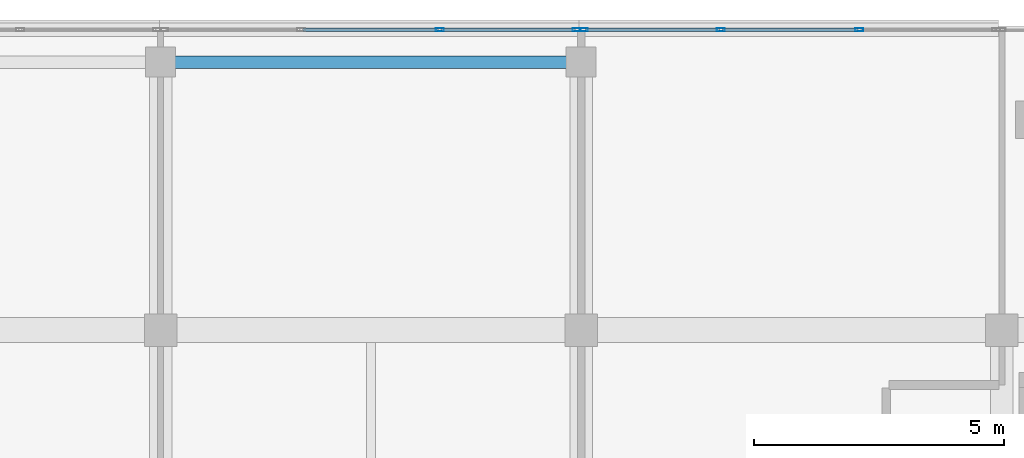
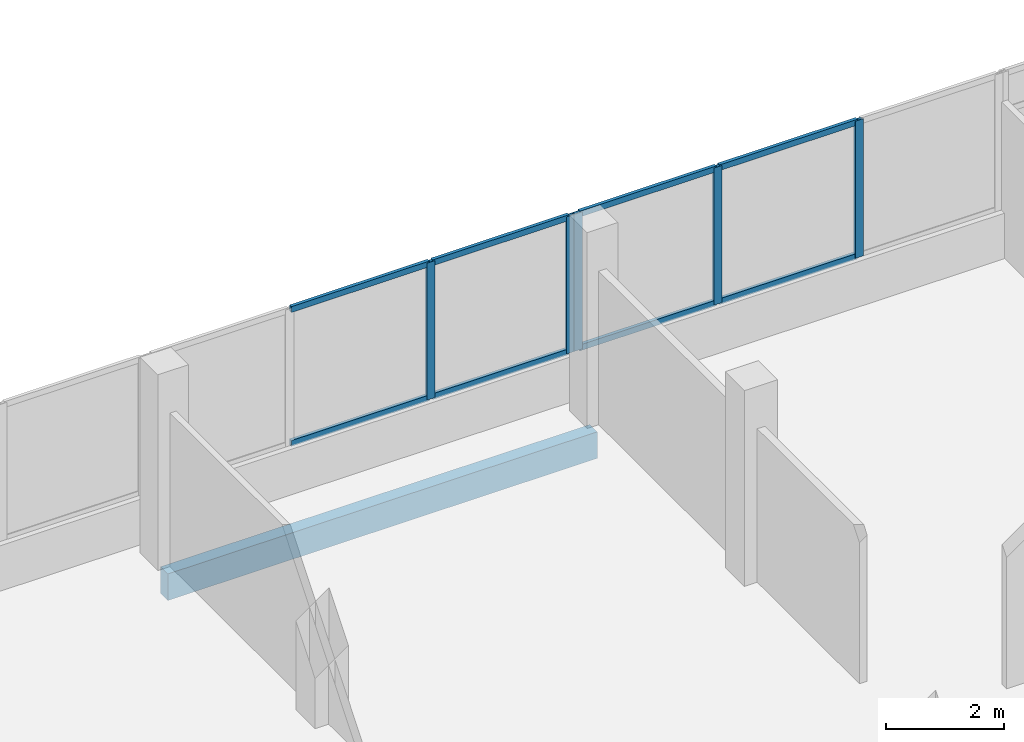
# One storey, part 26 of 78: 13 members, 1 beam, 2 elements without a shape of their own.
"""IFC4 building model written with IfcOpenShell, lengths in metres."""

from ifc_helpers import new_model, si_unit, direction, frame, origin, origin_2d, place, context, subcontext, project, spatial, rectangle, hollow_rectangle, extrude, material, material_profile, profile_set, type_object, element, aggregate, save


model = new_model("IFC4")

# Units and contexts
model_context = context("Model", 3, precision=1e-05, world=origin(), true_north=direction((0.0, 1.0)))
body_context = subcontext(model_context, "Body", "Model", "MODEL_VIEW")
ifc_project = project(units=[si_unit("LENGTHUNIT", "METRE"), si_unit("AREAUNIT", "SQUARE_METRE"), si_unit("VOLUMEUNIT", "CUBIC_METRE"), si_unit("PLANEANGLEUNIT", "RADIAN"), si_unit("MASSUNIT", "GRAM", prefix="KILO")], contexts=[model_context])

# Site, building, storey
site_placement = place(None, origin())
site = spatial("IfcSite", under=ifc_project, at=site_placement, CompositionType="ELEMENT")
building_placement = place(site_placement, origin())
building = spatial("IfcBuilding", under=site, at=building_placement, Name="Selatvlak General Hospital", CompositionType="ELEMENT")
storey_placement = place(building_placement, frame((0.0, 0.0, 23.25)))
storey = spatial("IfcBuildingStorey", under=building, at=storey_placement, Name="L05", CompositionType="ELEMENT", Elevation=23.25)

# Beam
ifc_material_1 = material(Name="Concrete C40/50", Category="concrete")
ifc_material_profile_1 = material_profile(ifc_material_1, rectangle(XDim=0.25, YDim=0.550048828125, at=origin_2d()), Name="RC-SP 250x550")
ifc_profile_set_1 = profile_set([ifc_material_profile_1], Name="Concrete C40/50")
beam_type = type_object("IfcBeamType", Name="BM-SP2", PredefinedType="SPANDREL", material=ifc_profile_set_1)
beam_placement = place(storey_placement, frame((31.199951171875, 119.35009765625, -0.554931640625), z_axis=(1.0, 0.0, 0.0), x_axis=(0.0, 1.0, 0.0)))
element("IfcBeam", 1, at=beam_placement, inside=storey, type_object=beam_type, Name="Beam BMR-L05-1976", PredefinedType="SPANDREL", context=body_context, shape_type="SweptSolid", body=[
    extrude(rectangle(XDim=0.25, YDim=0.550048828125, at=origin_2d()), origin(), (0.0, 0.0, 1.0), 8.400146484375),
])

# Curtain wall, members
ifc_material_2 = material(Name="Solar-control Low-E double glazing", Category="glass")
curtain_wall_type_1 = type_object("IfcCurtainWallType", Name="CW-CW-02", PredefinedType="USERDEFINED", material=ifc_material_2)
curtain_wall_1_placement = place(storey_placement, origin())
curtain_wall_1 = element("IfcCurtainWall", 2, at=curtain_wall_1_placement, inside=storey, type_object=curtain_wall_type_1, Name="Glazed facade curtain wall CW-L05-0548", ObjectType="UNITISED CURTAIN WALL", PredefinedType="USERDEFINED")
ifc_material_3 = material(Name="Dark anodised aluminium mullion", Category="aluminium")
ifc_material_profile_2 = material_profile(ifc_material_3, hollow_rectangle(XDim=0.06494140625, YDim=0.159912109375, WallThickness=0.00390625, at=origin_2d()), Name="AL-MUL 65x160x4")
ifc_profile_set_2 = profile_set([ifc_material_profile_2], Name="Dark anodised aluminium mullion")
member_type_1 = type_object("IfcMemberType", Name="CWM-01", PredefinedType="MULLION", material=ifc_profile_set_2)
member_1_placement = place(storey_placement, frame((36.776611328125, 119.9990234375, 0.93994140625), z_axis=(0.0, 0.0, 1.0), x_axis=(0.0, 1.0, 0.0)))
member_1 = element("IfcMember", 3, at=member_1_placement, type_object=member_type_1, Name="CW-02 mullion 3", PredefinedType="MULLION", context=body_context, shape_type="SweptSolid", body=[
    extrude(hollow_rectangle(XDim=0.06494140625, YDim=0.159912109375, WallThickness=0.00390625, at=origin_2d()), origin(), (0.0, 0.0, 1.0), 2.8349609375),
])
member_2_placement = place(storey_placement, frame((39.510498046875, 119.9990234375, 0.93994140625), z_axis=(0.0, 0.0, 1.0), x_axis=(0.0, 1.0, 0.0)))
member_2 = element("IfcMember", 4, at=member_2_placement, type_object=member_type_1, Name="CW-02 mullion 4", PredefinedType="MULLION", context=body_context, shape_type="SweptSolid", body=[
    extrude(hollow_rectangle(XDim=0.06494140625, YDim=0.159912109375, WallThickness=0.00390625, at=origin_2d()), origin(), (0.0, 0.0, 1.0), 2.8349609375),
])

curtain_wall_type_2 = type_object("IfcCurtainWallType", Name="CW-CW-01", PredefinedType="USERDEFINED", material=ifc_material_2)
curtain_wall_2_placement = place(storey_placement, origin())
curtain_wall_2 = element("IfcCurtainWall", 5, at=curtain_wall_2_placement, inside=storey, type_object=curtain_wall_type_2, Name="Glazed facade curtain wall CW-L05-0549", ObjectType="UNITISED CURTAIN WALL", PredefinedType="USERDEFINED")
member_3_placement = place(storey_placement, frame((39.655517578125, 119.9990234375, 0.93994140625), z_axis=(0.0, 0.0, 1.0), x_axis=(0.0, 1.0, 0.0)))
member_3 = element("IfcMember", 6, at=member_3_placement, type_object=member_type_1, Name="CW-01 mullion 1", PredefinedType="MULLION", context=body_context, shape_type="SweptSolid", body=[
    extrude(hollow_rectangle(XDim=0.06494140625, YDim=0.159912109375, WallThickness=0.00390625, at=origin_2d()), origin(), (0.0, 0.0, 1.0), 2.8349609375),
])
member_4_placement = place(storey_placement, frame((42.389404296875, 119.9990234375, 0.93994140625), z_axis=(0.0, 0.0, 1.0), x_axis=(0.0, 1.0, 0.0)))
member_4 = element("IfcMember", 7, at=member_4_placement, type_object=member_type_1, Name="CW-01 mullion 2", PredefinedType="MULLION", context=body_context, shape_type="SweptSolid", body=[
    extrude(hollow_rectangle(XDim=0.06494140625, YDim=0.159912109375, WallThickness=0.00390625, at=origin_2d()), origin(), (0.0, 0.0, 1.0), 2.8349609375),
])
member_5_placement = place(storey_placement, frame((45.15576171875, 119.9990234375, 0.93994140625), z_axis=(0.0, 0.0, 1.0), x_axis=(0.0, 1.0, 0.0)))
member_5 = element("IfcMember", 8, at=member_5_placement, type_object=member_type_1, Name="CW-01 mullion 3", PredefinedType="MULLION", context=body_context, shape_type="SweptSolid", body=[
    extrude(hollow_rectangle(XDim=0.06494140625, YDim=0.159912109375, WallThickness=0.00390625, at=origin_2d()), origin(), (0.0, 0.0, 1.0), 2.8349609375),
])

# Member
ifc_material_profile_3 = material_profile(ifc_material_3, hollow_rectangle(XDim=0.06494140625, YDim=0.1201171875, WallThickness=0.00390625, at=origin_2d()), Name="AL-TRN 65x120x4")
ifc_profile_set_3 = profile_set([ifc_material_profile_3], Name="Dark anodised aluminium mullion")
member_type_2 = type_object("IfcMemberType", Name="CWT-01", PredefinedType="USERDEFINED", material=ifc_profile_set_3)
member_6_placement = place(storey_placement, frame((34.042724609375, 119.9990234375, 0.972412109375), z_axis=(1.0, 0.0, 0.0), x_axis=(0.0, 1.0, 0.0)))
member_6 = element("IfcMember", 9, at=member_6_placement, type_object=member_type_2, Name="CW-02 transom 2.1", ObjectType="TRANSOM", PredefinedType="USERDEFINED", context=body_context, shape_type="SweptSolid", body=[
    extrude(hollow_rectangle(XDim=0.06494140625, YDim=0.1201171875, WallThickness=0.00390625, at=origin_2d()), origin(), (0.0, 0.0, 1.0), 2.701416015625),
])

member_7_placement = place(storey_placement, frame((34.042724609375, 119.9990234375, 3.742431640625), z_axis=(1.0, 0.0, 0.0), x_axis=(0.0, 1.0, 0.0)))
member_7 = element("IfcMember", 10, at=member_7_placement, type_object=member_type_2, Name="CW-02 transom 2.2", ObjectType="TRANSOM", PredefinedType="USERDEFINED", context=body_context, shape_type="SweptSolid", body=[
    extrude(hollow_rectangle(XDim=0.06494140625, YDim=0.1201171875, WallThickness=0.00390625, at=origin_2d()), origin(), (0.0, 0.0, 1.0), 2.701416015625),
])

member_8_placement = place(storey_placement, frame((36.80908203125, 119.9990234375, 0.972412109375), z_axis=(1.0, 0.0, 0.0), x_axis=(0.0, 1.0, 0.0)))
member_8 = element("IfcMember", 11, at=member_8_placement, type_object=member_type_2, Name="CW-02 transom 3.1", ObjectType="TRANSOM", PredefinedType="USERDEFINED", context=body_context, shape_type="SweptSolid", body=[
    extrude(hollow_rectangle(XDim=0.06494140625, YDim=0.1201171875, WallThickness=0.00390625, at=origin_2d()), origin(), (0.0, 0.0, 1.0), 2.6689453125),
])

member_9_placement = place(storey_placement, frame((36.80908203125, 119.9990234375, 3.742431640625), z_axis=(1.0, 0.0, 0.0), x_axis=(0.0, 1.0, 0.0)))
member_9 = element("IfcMember", 12, at=member_9_placement, type_object=member_type_2, Name="CW-02 transom 3.2", ObjectType="TRANSOM", PredefinedType="USERDEFINED", context=body_context, shape_type="SweptSolid", body=[
    extrude(hollow_rectangle(XDim=0.06494140625, YDim=0.1201171875, WallThickness=0.00390625, at=origin_2d()), origin(), (0.0, 0.0, 1.0), 2.6689453125),
])

aggregate(curtain_wall_1, [member_1, member_2, member_6, member_7, member_8, member_9])

member_10_placement = place(storey_placement, frame((39.68798828125, 119.9990234375, 0.972412109375), z_axis=(1.0, 0.0, 0.0), x_axis=(0.0, 1.0, 0.0)))
member_10 = element("IfcMember", 13, at=member_10_placement, type_object=member_type_2, Name="CW-01 transom 1.1", ObjectType="TRANSOM", PredefinedType="USERDEFINED", context=body_context, shape_type="SweptSolid", body=[
    extrude(hollow_rectangle(XDim=0.06494140625, YDim=0.1201171875, WallThickness=0.00390625, at=origin_2d()), origin(), (0.0, 0.0, 1.0), 2.6689453125),
])

member_11_placement = place(storey_placement, frame((39.68798828125, 119.9990234375, 3.742431640625), z_axis=(1.0, 0.0, 0.0), x_axis=(0.0, 1.0, 0.0)))
member_11 = element("IfcMember", 14, at=member_11_placement, type_object=member_type_2, Name="CW-01 transom 1.2", ObjectType="TRANSOM", PredefinedType="USERDEFINED", context=body_context, shape_type="SweptSolid", body=[
    extrude(hollow_rectangle(XDim=0.06494140625, YDim=0.1201171875, WallThickness=0.00390625, at=origin_2d()), origin(), (0.0, 0.0, 1.0), 2.6689453125),
])

member_12_placement = place(storey_placement, frame((42.421875, 119.9990234375, 0.972412109375), z_axis=(1.0, 0.0, 0.0), x_axis=(0.0, 1.0, 0.0)))
member_12 = element("IfcMember", 15, at=member_12_placement, type_object=member_type_2, Name="CW-01 transom 2.1", ObjectType="TRANSOM", PredefinedType="USERDEFINED", context=body_context, shape_type="SweptSolid", body=[
    extrude(hollow_rectangle(XDim=0.06494140625, YDim=0.1201171875, WallThickness=0.00390625, at=origin_2d()), origin(), (0.0, 0.0, 1.0), 2.701171875),
])

member_13_placement = place(storey_placement, frame((42.421875, 119.9990234375, 3.742431640625), z_axis=(1.0, 0.0, 0.0), x_axis=(0.0, 1.0, 0.0)))
member_13 = element("IfcMember", 16, at=member_13_placement, type_object=member_type_2, Name="CW-01 transom 2.2", ObjectType="TRANSOM", PredefinedType="USERDEFINED", context=body_context, shape_type="SweptSolid", body=[
    extrude(hollow_rectangle(XDim=0.06494140625, YDim=0.1201171875, WallThickness=0.00390625, at=origin_2d()), origin(), (0.0, 0.0, 1.0), 2.701171875),
])

aggregate(curtain_wall_2, [member_3, member_4, member_5, member_10, member_11, member_12, member_13])

save(model, "model.ifc")
